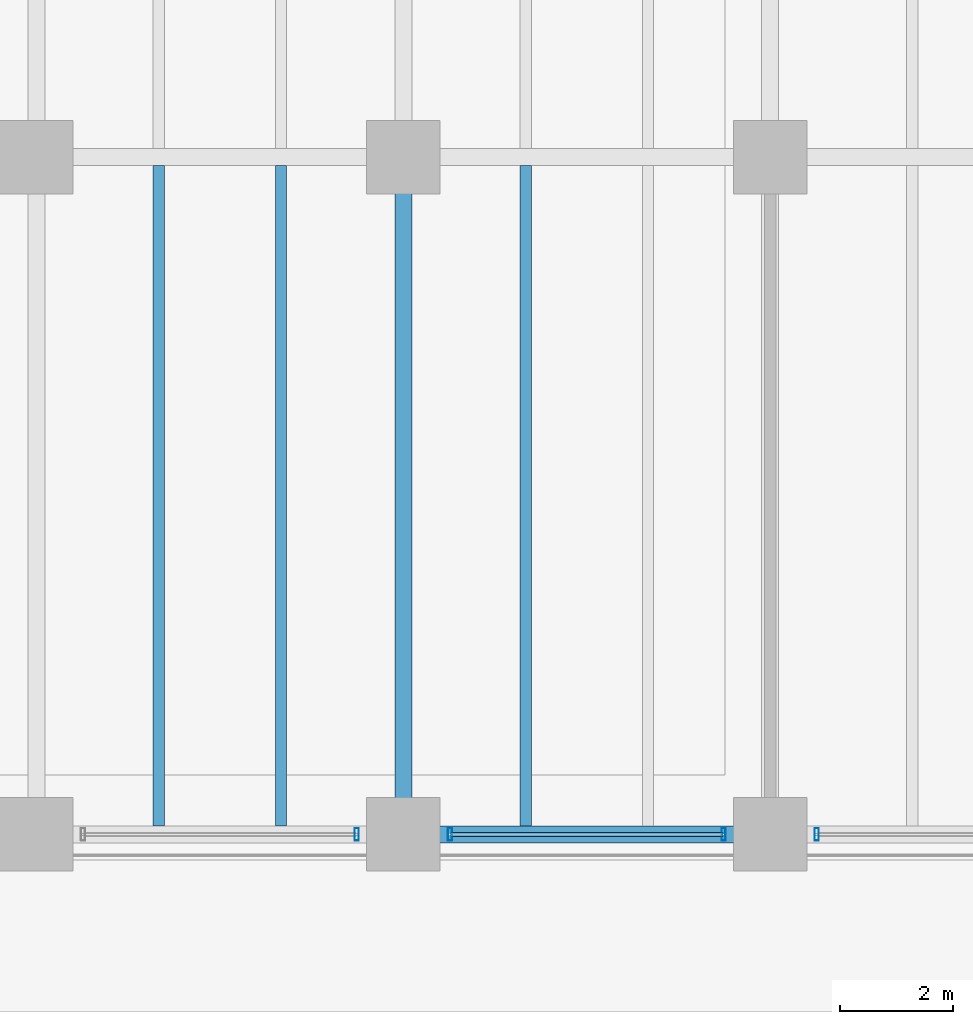
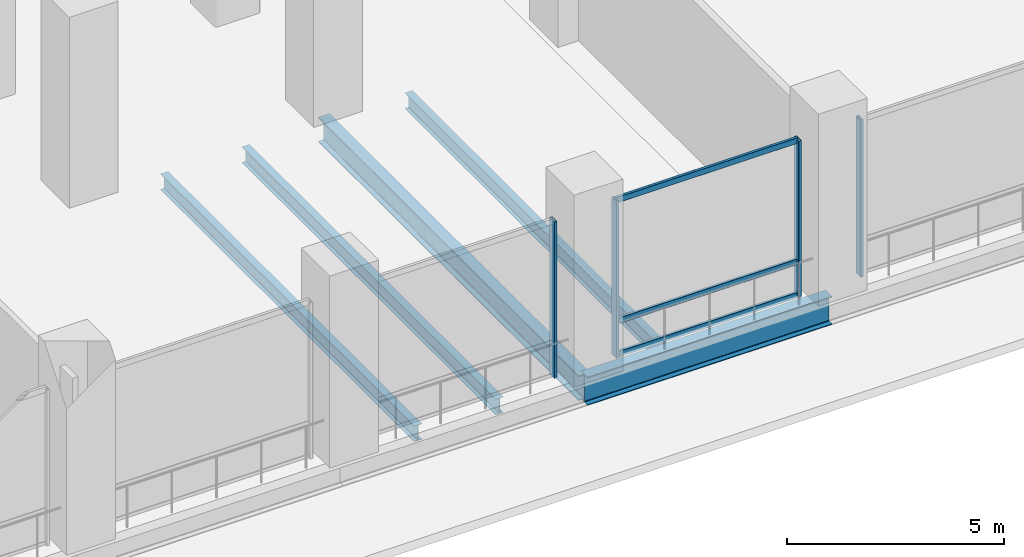
# One storey, part 8 of 32: 7 members, 5 beams, 3 elements without a shape of their own.
"""IFC4 building model written with IfcOpenShell, lengths in metres."""

from ifc_helpers import new_model, si_unit, direction, frame, origin, origin_2d, place, context, subcontext, project, spatial, hollow_rectangle, i_section, extrude, material, material_profile, profile_set, type_object, element, aggregate, save


model = new_model("IFC4")

# Units and contexts
model_context = context("Model", 3, precision=1e-05, world=origin(), true_north=direction((0.0, 1.0)))
body_context = subcontext(model_context, "Body", "Model", "MODEL_VIEW")
ifc_project = project(units=[si_unit("LENGTHUNIT", "METRE"), si_unit("AREAUNIT", "SQUARE_METRE"), si_unit("VOLUMEUNIT", "CUBIC_METRE"), si_unit("PLANEANGLEUNIT", "RADIAN"), si_unit("MASSUNIT", "GRAM", prefix="KILO")], contexts=[model_context])

# Site, building, storey
site_placement = place(None, origin())
site = spatial("IfcSite", under=ifc_project, at=site_placement, CompositionType="ELEMENT")
building_placement = place(site_placement, origin())
building = spatial("IfcBuilding", under=site, at=building_placement, Name="Noeulbin Bourse Tower", CompositionType="ELEMENT")
storey_placement = place(building_placement, frame((0.0, 0.0, 5.800048828125)))
storey = spatial("IfcBuildingStorey", under=building, at=storey_placement, Name="L02", CompositionType="ELEMENT", Elevation=5.800048828125)

# Beams
ifc_material_1 = material(Name="Steel S355", Category="steel")
ifc_material_profile_1 = material_profile(ifc_material_1, i_section(OverallWidth=0.300048828125, OverallDepth=0.699951171875, WebThickness=0.012939453125, FlangeThickness=0.02392578125, FilletRadius=0.02392578125, at=origin_2d()), Name="H-700x300x13x24", Category="LoadBearing")
ifc_profile_set_1 = profile_set([ifc_material_profile_1], Name="Steel S355")
beam_type_1 = type_object("IfcBeamType", Name="BM-GRD-700", PredefinedType="USERDEFINED", material=ifc_profile_set_1)
beam_1_placement = place(storey_placement, frame((37.5, 3.449951171875, -0.60009765625), z_axis=(0.0, 1.0, 0.0), x_axis=(-1.0, 0.0, 0.0)))
element("IfcBeam", 1, at=beam_1_placement, inside=storey, type_object=beam_type_1, Name="Podium Primary Girder NS L02-085", ObjectType="GIRDER", PredefinedType="USERDEFINED", context=body_context, shape_type="SweptSolid", body=[
    extrude(i_section(OverallWidth=0.300048828125, OverallDepth=0.699951171875, WebThickness=0.012939453125, FlangeThickness=0.02392578125, FilletRadius=0.02392578125, at=origin_2d()), origin(), (0.0, 0.0, 1.0), 12.0),
])
ifc_material_profile_2 = material_profile(ifc_material_1, i_section(OverallWidth=0.300048828125, OverallDepth=0.800048828125, WebThickness=0.013916015625, FlangeThickness=0.02587890625, FilletRadius=0.02587890625, at=origin_2d()), Name="H-800x300x14x26", Category="LoadBearing")
ifc_profile_set_2 = profile_set([ifc_material_profile_2], Name="Steel S355")
beam_type_2 = type_object("IfcBeamType", Name="BM-GRD-800", PredefinedType="USERDEFINED", material=ifc_profile_set_2)
beam_2_placement = place(storey_placement, frame((37.5, 3.449951171875, -0.650146484375), z_axis=(1.0, 0.0, 0.0), x_axis=(0.0, 1.0, 0.0)))
element("IfcBeam", 2, at=beam_2_placement, inside=storey, type_object=beam_type_2, Name="Podium Primary Girder EW L02-006", ObjectType="GIRDER", PredefinedType="USERDEFINED", context=body_context, shape_type="SweptSolid", body=[
    extrude(i_section(OverallWidth=0.300048828125, OverallDepth=0.800048828125, WebThickness=0.013916015625, FlangeThickness=0.02587890625, FilletRadius=0.02587890625, at=origin_2d()), origin(), (0.0, 0.0, 1.0), 6.5),
])
ifc_material_profile_3 = material_profile(ifc_material_1, i_section(OverallWidth=0.199951171875, OverallDepth=0.449951171875, WebThickness=0.009033203125, FlangeThickness=0.013916015625, FilletRadius=0.01806640625, at=origin_2d()), Name="H-450x200x9x14", Category="LoadBearing")
ifc_profile_set_3 = profile_set([ifc_material_profile_3], Name="Steel S355")
beam_type_3 = type_object("IfcBeamType", Name="BM-SEC-450", PredefinedType="BEAM", material=ifc_profile_set_3)
for number, where, z_axis, x_axis, name in (
    (3, (33.166748046875, 3.60009765625, -0.47509765625), (0.0, 1.0, 0.0), (-1.0, 0.0, 0.0), "Podium Secondary Beam L02-049"),
    (4, (35.333251953125, 3.60009765625, -0.47509765625), (0.0, 1.0, 0.0), (-1.0, 0.0, 0.0), "Podium Secondary Beam L02-054"),
    (5, (39.666748046875, 3.60009765625, -0.47509765625), (0.0, 1.0, 0.0), (-1.0, 0.0, 0.0), "Podium Secondary Beam L02-059"),
):
    element("IfcBeam", number, at=place(storey_placement, frame(where, z_axis=z_axis, x_axis=x_axis)), inside=storey, type_object=beam_type_3, Name=name, PredefinedType="BEAM", context=body_context, shape_type="SweptSolid", body=[
        extrude(i_section(OverallWidth=0.199951171875, OverallDepth=0.449951171875, WebThickness=0.009033203125, FlangeThickness=0.013916015625, FilletRadius=0.01806640625, at=origin_2d()), origin(), (0.0, 0.0, 1.0), 11.699951171875),
    ])

# Curtain wall, member
ifc_material_2 = material(Name="Laminated Clear Low-E Glass", Category="glass")
curtain_wall_type = type_object("IfcCurtainWallType", Name="CW-SYS-1", PredefinedType="NOTDEFINED", material=ifc_material_2)
curtain_wall_1_placement = place(storey_placement, origin())
curtain_wall_1 = element("IfcCurtainWall", 6, at=curtain_wall_1_placement, inside=storey, type_object=curtain_wall_type, Name="Unitised Curtain Wall CW-L02-POD-S-S4", PredefinedType="NOTDEFINED")
ifc_material_3 = material(Name="Anodised Aluminium 6063-T6", Category="aluminium")
ifc_material_profile_4 = material_profile(ifc_material_3, hollow_rectangle(XDim=0.074951171875, YDim=0.219970703125, WallThickness=0.0048828125, InnerFilletRadius=0.00244140625, OuterFilletRadius=0.0048828125, at=origin_2d()), Name="ALU-MULL-75x220x5", Category="LoadBearing")
ifc_profile_set_4 = profile_set([ifc_material_profile_4], Name="Anodised Aluminium 6063-T6")
member_type_1 = type_object("IfcMemberType", Name="CW-SYS-1-MUL", PredefinedType="MULLION", material=ifc_profile_set_4)
member_1_placement = place(storey_placement, frame((36.675048828125, 3.449951171875, -0.02001953125), z_axis=(0.0, 0.0, 1.0), x_axis=(1.0, 0.0, 0.0)))
member_1 = element("IfcMember", 7, at=member_1_placement, type_object=member_type_1, Name="Curtain Wall Mullion CW-L02-POD-S-S4-M01", PredefinedType="MULLION", context=body_context, shape_type="SweptSolid", body=[
    extrude(hollow_rectangle(XDim=0.074951171875, YDim=0.219970703125, WallThickness=0.0048828125, InnerFilletRadius=0.00244140625, OuterFilletRadius=0.0048828125, at=origin_2d()), origin(), (0.0, 0.0, 1.0), 4.409912109375),
])
aggregate(curtain_wall_1, [member_1])

# Curtain wall, members
curtain_wall_2_placement = place(storey_placement, origin())
curtain_wall_2 = element("IfcCurtainWall", 8, at=curtain_wall_2_placement, inside=storey, type_object=curtain_wall_type, Name="Unitised Curtain Wall CW-L02-POD-S-S5", PredefinedType="NOTDEFINED")
member_2_placement = place(storey_placement, frame((38.324951171875, 3.449951171875, -0.02001953125), z_axis=(0.0, 0.0, 1.0), x_axis=(1.0, 0.0, 0.0)))
member_2 = element("IfcMember", 9, at=member_2_placement, type_object=member_type_1, Name="Curtain Wall Mullion CW-L02-POD-S-S5-M00", PredefinedType="MULLION", context=body_context, shape_type="SweptSolid", body=[
    extrude(hollow_rectangle(XDim=0.074951171875, YDim=0.219970703125, WallThickness=0.0048828125, InnerFilletRadius=0.00244140625, OuterFilletRadius=0.0048828125, at=origin_2d()), origin(), (0.0, 0.0, 1.0), 4.409912109375),
])
member_3_placement = place(storey_placement, frame((43.175048828125, 3.449951171875, -0.02001953125), z_axis=(0.0, 0.0, 1.0), x_axis=(1.0, 0.0, 0.0)))
member_3 = element("IfcMember", 10, at=member_3_placement, type_object=member_type_1, Name="Curtain Wall Mullion CW-L02-POD-S-S5-M01", PredefinedType="MULLION", context=body_context, shape_type="SweptSolid", body=[
    extrude(hollow_rectangle(XDim=0.074951171875, YDim=0.219970703125, WallThickness=0.0048828125, InnerFilletRadius=0.00244140625, OuterFilletRadius=0.0048828125, at=origin_2d()), origin(), (0.0, 0.0, 1.0), 4.409912109375),
])

# Curtain wall, member
curtain_wall_3_placement = place(storey_placement, origin())
curtain_wall_3 = element("IfcCurtainWall", 11, at=curtain_wall_3_placement, inside=storey, type_object=curtain_wall_type, Name="Unitised Curtain Wall CW-L02-POD-S-S6", PredefinedType="NOTDEFINED")
member_4_placement = place(storey_placement, frame((44.824951171875, 3.449951171875, -0.02001953125), z_axis=(0.0, 0.0, 1.0), x_axis=(1.0, 0.0, 0.0)))
member_4 = element("IfcMember", 12, at=member_4_placement, type_object=member_type_1, Name="Curtain Wall Mullion CW-L02-POD-S-S6-M00", PredefinedType="MULLION", context=body_context, shape_type="SweptSolid", body=[
    extrude(hollow_rectangle(XDim=0.074951171875, YDim=0.219970703125, WallThickness=0.0048828125, InnerFilletRadius=0.00244140625, OuterFilletRadius=0.0048828125, at=origin_2d()), origin(), (0.0, 0.0, 1.0), 4.409912109375),
])
aggregate(curtain_wall_3, [member_4])

# Member
ifc_material_profile_5 = material_profile(ifc_material_3, hollow_rectangle(XDim=0.074951171875, YDim=0.159912109375, WallThickness=0.0048828125, InnerFilletRadius=0.00244140625, OuterFilletRadius=0.0048828125, at=origin_2d()), Name="ALU-TRAN-75x160x5", Category="LoadBearing")
ifc_profile_set_5 = profile_set([ifc_material_profile_5], Name="Anodised Aluminium 6063-T6")
member_type_2 = type_object("IfcMemberType", Name="CW-SYS-1-TRN", PredefinedType="USERDEFINED", material=ifc_profile_set_5)
member_5_placement = place(storey_placement, frame((38.3349609375, 3.449951171875, 0.010009765625), z_axis=(1.0, 0.0, 0.0), x_axis=(0.0, 1.0, 0.0)))
member_5 = element("IfcMember", 13, at=member_5_placement, type_object=member_type_2, Name="Curtain Wall Transom CW-L02-POD-S-S5-T00", ObjectType="TRANSOM", PredefinedType="USERDEFINED", context=body_context, shape_type="SweptSolid", body=[
    extrude(hollow_rectangle(XDim=0.074951171875, YDim=0.159912109375, WallThickness=0.0048828125, InnerFilletRadius=0.00244140625, OuterFilletRadius=0.0048828125, at=origin_2d()), origin(), (0.0, 0.0, 1.0), 4.830078125),
])

member_6_placement = place(storey_placement, frame((38.3349609375, 3.449951171875, 0.949951171875), z_axis=(1.0, 0.0, 0.0), x_axis=(0.0, 1.0, 0.0)))
member_6 = element("IfcMember", 14, at=member_6_placement, type_object=member_type_2, Name="Curtain Wall Transom CW-L02-POD-S-S5-T01", ObjectType="TRANSOM", PredefinedType="USERDEFINED", context=body_context, shape_type="SweptSolid", body=[
    extrude(hollow_rectangle(XDim=0.074951171875, YDim=0.159912109375, WallThickness=0.0048828125, InnerFilletRadius=0.00244140625, OuterFilletRadius=0.0048828125, at=origin_2d()), origin(), (0.0, 0.0, 1.0), 4.830078125),
])

member_7_placement = place(storey_placement, frame((38.3349609375, 3.449951171875, 4.35986328125), z_axis=(1.0, 0.0, 0.0), x_axis=(0.0, 1.0, 0.0)))
member_7 = element("IfcMember", 15, at=member_7_placement, type_object=member_type_2, Name="Curtain Wall Transom CW-L02-POD-S-S5-T02", ObjectType="TRANSOM", PredefinedType="USERDEFINED", context=body_context, shape_type="SweptSolid", body=[
    extrude(hollow_rectangle(XDim=0.074951171875, YDim=0.159912109375, WallThickness=0.0048828125, InnerFilletRadius=0.00244140625, OuterFilletRadius=0.0048828125, at=origin_2d()), origin(), (0.0, 0.0, 1.0), 4.830078125),
])

aggregate(curtain_wall_2, [member_2, member_3, member_5, member_6, member_7])

save(model, "model.ifc")
